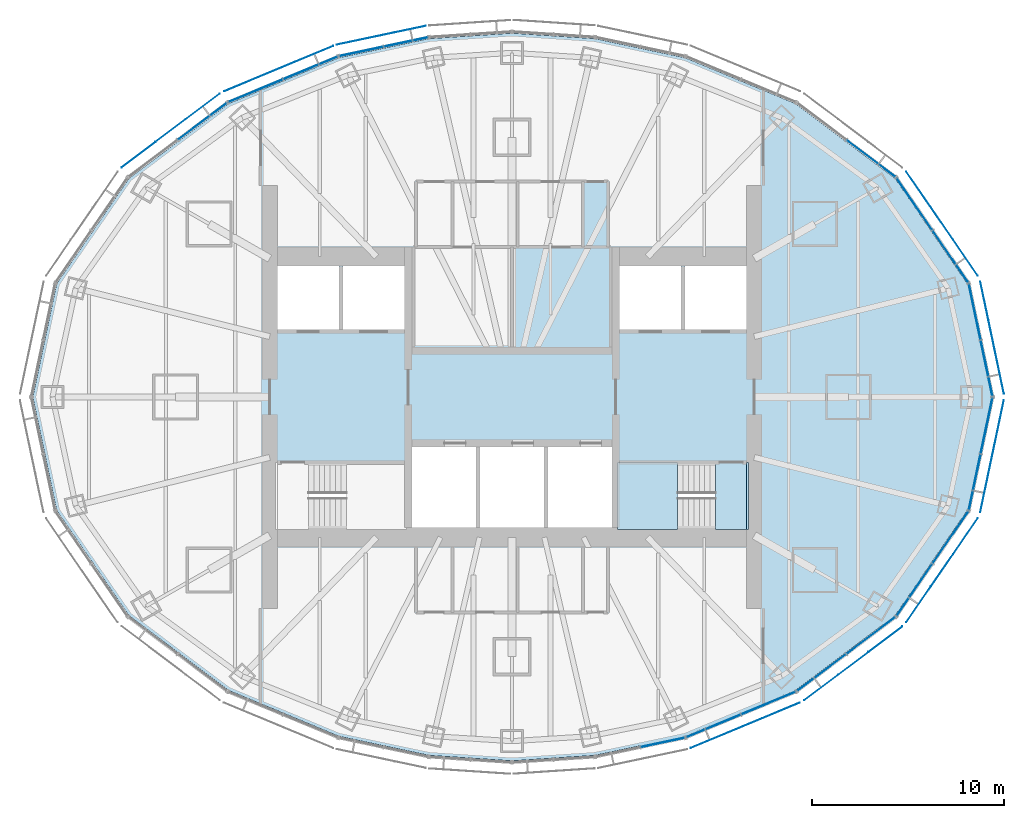
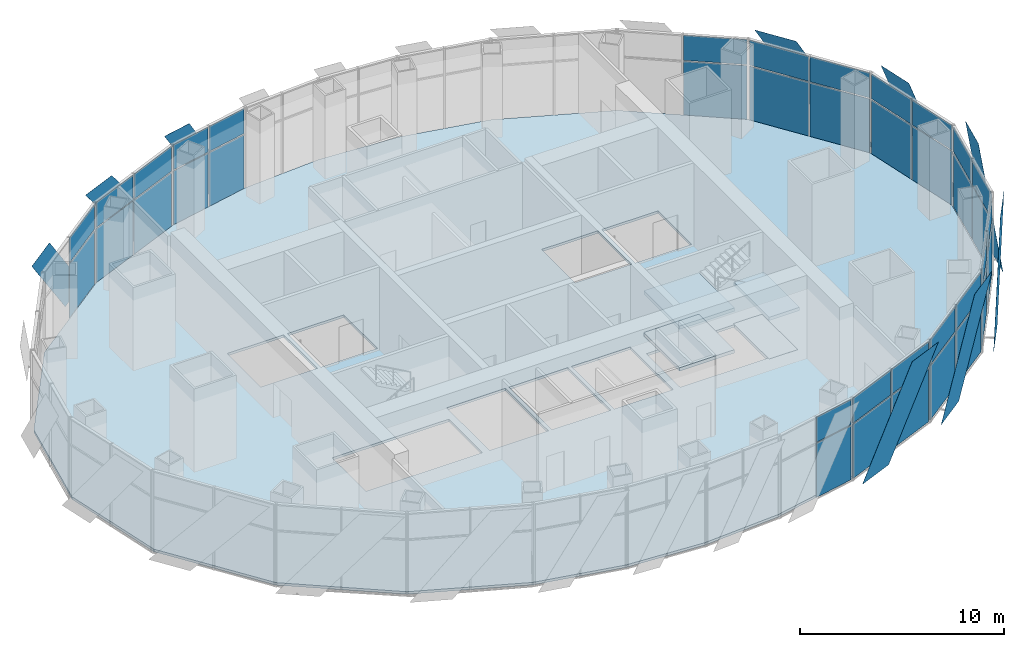
# One storey, part 10 of 17: 47 plates, 5 slabs, 12 elements without a shape of their own.
"""IFC4 building model written with IfcOpenShell, lengths in metres."""

from ifc_helpers import new_model, si_unit, direction, frame, origin, origin_2d, place, context, subcontext, project, spatial, polyline, rectangle, outline, extrude, material, layer, layer_set, type_object, element, aggregate, save


model = new_model("IFC4")

# Units and contexts
model_context = context("Model", 3, precision=1e-05, world=origin(), true_north=direction((0.0, 1.0)))
body_context = subcontext(model_context, "Body", "Model", "MODEL_VIEW")
ifc_project = project(units=[si_unit("LENGTHUNIT", "METRE"), si_unit("AREAUNIT", "SQUARE_METRE"), si_unit("VOLUMEUNIT", "CUBIC_METRE"), si_unit("PLANEANGLEUNIT", "RADIAN"), si_unit("MASSUNIT", "GRAM", prefix="KILO")], contexts=[model_context])

# Site, building, storey
site_placement = place(None, origin())
site = spatial("IfcSite", under=ifc_project, at=site_placement, CompositionType="ELEMENT")
building_placement = place(site_placement, origin())
building = spatial("IfcBuilding", under=site, at=building_placement, Name="Lantaw Convention Tower", CompositionType="ELEMENT")
storey_placement = place(building_placement, frame((0.0, 0.0, 279.39990234375)))
storey = spatial("IfcBuildingStorey", under=building, at=storey_placement, Name="L65", CompositionType="ELEMENT", Elevation=279.39990234375)

# Curtain wall, plates
ifc_material_1 = material(Name="Aluminium framed curtain wall", Category="aluminium")
curtain_wall_type = type_object("IfcCurtainWallType", Name="Executive floors curtain wall, pale aluminium", PredefinedType="USERDEFINED", material=ifc_material_1)
curtain_wall_1_placement = place(storey_placement, origin())
curtain_wall_1 = element("IfcCurtainWall", 1, at=curtain_wall_1_placement, inside=storey, type_object=curtain_wall_type, Name="Executive floors curtain wall, pale aluminium L65", ObjectType="UNITISED CURTAIN WALL", PredefinedType="USERDEFINED")
ifc_material_2 = material(Name="Clear insulating glass", Category="glass")
ifc_layer_1 = layer(ifc_material_2, 0.030029296875)
ifc_layer_set_1 = layer_set([ifc_layer_1], Name="CW-T panel 30")
plate_type_1 = type_object("IfcPlateType", Name="CW-T panel 30", PredefinedType="CURTAIN_PANEL", material=ifc_layer_set_1)
plate_1_placement = place(storey_placement, frame((24.68505859375, 1.497802734375, -0.080078125), z_axis=(0.0, 0.0, 1.0), x_axis=(-0.205814054946, 0.978591117263, 0.0)))
plate_1 = element("IfcPlate", 2, at=plate_1_placement, type_object=plate_type_1, Name="CW-T panel 1.1", PredefinedType="CURTAIN_PANEL", context=body_context, shape_type="SweptSolid", body=[
    extrude(rectangle(XDim=2.921142578125, YDim=0.030029296875, at=origin_2d()), origin(), (0.0, 0.0, 1.0), 3.2451171875),
])
plate_2_placement = place(storey_placement, frame((24.68505859375, 1.497802734375, 3.235107421875), z_axis=(0.0, 0.0, 1.0), x_axis=(-0.205814054946, 0.978591117263, 0.0)))
plate_2 = element("IfcPlate", 3, at=plate_2_placement, type_object=plate_type_1, Name="CW-T panel 1.2", PredefinedType="CURTAIN_PANEL", context=body_context, shape_type="SweptSolid", body=[
    extrude(rectangle(XDim=2.921142578125, YDim=0.030029296875, at=origin_2d()), origin(), (0.0, 0.0, 1.0), 1.4951171875),
])
plate_3_placement = place(storey_placement, frame((24.0693359375, 4.4248046875, -0.080078125), z_axis=(0.0, 0.0, 1.0), x_axis=(-0.205814054946, 0.978591117263, 0.0)))
plate_3 = element("IfcPlate", 4, at=plate_3_placement, type_object=plate_type_1, Name="CW-T panel 2.1", PredefinedType="CURTAIN_PANEL", context=body_context, shape_type="SweptSolid", body=[
    extrude(rectangle(XDim=2.921142578125, YDim=0.030029296875, at=origin_2d()), origin(), (0.0, 0.0, 1.0), 3.2451171875),
])
plate_4_placement = place(storey_placement, frame((24.0693359375, 4.4248046875, 3.235107421875), z_axis=(0.0, 0.0, 1.0), x_axis=(-0.205814054946, 0.978591117263, 0.0)))
plate_4 = element("IfcPlate", 5, at=plate_4_placement, type_object=plate_type_1, Name="CW-T panel 2.2", PredefinedType="CURTAIN_PANEL", context=body_context, shape_type="SweptSolid", body=[
    extrude(rectangle(XDim=2.921142578125, YDim=0.030029296875, at=origin_2d()), origin(), (0.0, 0.0, 1.0), 1.4951171875),
])
aggregate(curtain_wall_1, [plate_1, plate_2, plate_3, plate_4])

curtain_wall_2_placement = place(storey_placement, origin())
curtain_wall_2 = element("IfcCurtainWall", 6, at=curtain_wall_2_placement, inside=storey, type_object=curtain_wall_type, Name="Executive floors curtain wall, pale aluminium L65", ObjectType="UNITISED CURTAIN WALL", PredefinedType="USERDEFINED")
plate_5_placement = place(storey_placement, frame((22.80126953125, 7.31103515625, -0.080078125), z_axis=(0.0, 0.0, 1.0), x_axis=(-0.565934832921, 0.824449977189, 0.0)))
plate_5 = element("IfcPlate", 7, at=plate_5_placement, type_object=plate_type_1, Name="CW-T panel 1.1", PredefinedType="CURTAIN_PANEL", context=body_context, shape_type="SweptSolid", body=[
    extrude(rectangle(XDim=3.22802734375, YDim=0.030029296875, at=origin_2d()), origin(), (0.0, 0.0, 1.0), 3.2451171875),
])
plate_6_placement = place(storey_placement, frame((22.80126953125, 7.31103515625, 3.235107421875), z_axis=(0.0, 0.0, 1.0), x_axis=(-0.565934832921, 0.824449977189, 0.0)))
plate_6 = element("IfcPlate", 8, at=plate_6_placement, type_object=plate_type_1, Name="CW-T panel 1.2", PredefinedType="CURTAIN_PANEL", context=body_context, shape_type="SweptSolid", body=[
    extrude(rectangle(XDim=3.22802734375, YDim=0.030029296875, at=origin_2d()), origin(), (0.0, 0.0, 1.0), 1.4951171875),
])
plate_7_placement = place(storey_placement, frame((20.93505859375, 10.030029296875, -0.080078125), z_axis=(0.0, 0.0, 1.0), x_axis=(-0.565934832921, 0.824449977189, 0.0)))
plate_7 = element("IfcPlate", 9, at=plate_7_placement, type_object=plate_type_1, Name="CW-T panel 2.1", PredefinedType="CURTAIN_PANEL", context=body_context, shape_type="SweptSolid", body=[
    extrude(rectangle(XDim=3.22802734375, YDim=0.030029296875, at=origin_2d()), origin(), (0.0, 0.0, 1.0), 3.2451171875),
])
plate_8_placement = place(storey_placement, frame((20.93505859375, 10.030029296875, 3.235107421875), z_axis=(0.0, 0.0, 1.0), x_axis=(-0.565934832921, 0.824449977189, 0.0)))
plate_8 = element("IfcPlate", 10, at=plate_8_placement, type_object=plate_type_1, Name="CW-T panel 2.2", PredefinedType="CURTAIN_PANEL", context=body_context, shape_type="SweptSolid", body=[
    extrude(rectangle(XDim=3.22802734375, YDim=0.030029296875, at=origin_2d()), origin(), (0.0, 0.0, 1.0), 1.4951171875),
])
aggregate(curtain_wall_2, [plate_5, plate_6, plate_7, plate_8])

curtain_wall_3_placement = place(storey_placement, origin())
curtain_wall_3 = element("IfcCurtainWall", 11, at=curtain_wall_3_placement, inside=storey, type_object=curtain_wall_type, Name="Executive floors curtain wall, pale aluminium L65", ObjectType="UNITISED CURTAIN WALL", PredefinedType="USERDEFINED")
plate_9_placement = place(storey_placement, frame((18.67041015625, 12.403564453125, -0.080078125), z_axis=(0.0, 0.0, 1.0), x_axis=(-0.799517528732, 0.600642756762, 0.0)))
plate_9 = element("IfcPlate", 12, at=plate_9_placement, type_object=plate_type_1, Name="CW-T panel 1.1", PredefinedType="CURTAIN_PANEL", context=body_context, shape_type="SweptSolid", body=[
    extrude(rectangle(XDim=3.140869140625, YDim=0.030029296875, at=origin_2d()), origin(), (0.0, 0.0, 1.0), 3.2451171875),
])
plate_10_placement = place(storey_placement, frame((18.67041015625, 12.403564453125, 3.235107421875), z_axis=(0.0, 0.0, 1.0), x_axis=(-0.799517528732, 0.600642756762, 0.0)))
plate_10 = element("IfcPlate", 13, at=plate_10_placement, type_object=plate_type_1, Name="CW-T panel 1.2", PredefinedType="CURTAIN_PANEL", context=body_context, shape_type="SweptSolid", body=[
    extrude(rectangle(XDim=3.140869140625, YDim=0.030029296875, at=origin_2d()), origin(), (0.0, 0.0, 1.0), 1.4951171875),
])
aggregate(curtain_wall_3, [plate_9, plate_10])

curtain_wall_4_placement = place(storey_placement, origin())
curtain_wall_4 = element("IfcCurtainWall", 14, at=curtain_wall_4_placement, inside=storey, type_object=curtain_wall_type, Name="Executive floors curtain wall, pale aluminium L65", ObjectType="UNITISED CURTAIN WALL", PredefinedType="USERDEFINED")
plate_11_placement = place(storey_placement, frame((-5.514404296875, 18.46142578125, -0.080078125), z_axis=(0.0, 0.0, 1.0), x_axis=(-0.978332497083, -0.207039911975, 0.0)))
plate_11 = element("IfcPlate", 15, at=plate_11_placement, type_object=plate_type_1, Name="CW-T panel 1.1", PredefinedType="CURTAIN_PANEL", context=body_context, shape_type="SweptSolid", body=[
    extrude(rectangle(XDim=2.30078125, YDim=0.030029296875, at=origin_2d()), origin(), (0.0, 0.0, 1.0), 3.2451171875),
])
plate_12_placement = place(storey_placement, frame((-5.514404296875, 18.46142578125, 3.235107421875), z_axis=(0.0, 0.0, 1.0), x_axis=(-0.978332497083, -0.207039911975, 0.0)))
plate_12 = element("IfcPlate", 16, at=plate_12_placement, type_object=plate_type_1, Name="CW-T panel 1.2", PredefinedType="CURTAIN_PANEL", context=body_context, shape_type="SweptSolid", body=[
    extrude(rectangle(XDim=2.30078125, YDim=0.030029296875, at=origin_2d()), origin(), (0.0, 0.0, 1.0), 1.4951171875),
])
plate_13_placement = place(storey_placement, frame((-7.833740234375, 17.970703125, -0.080078125), z_axis=(0.0, 0.0, 1.0), x_axis=(-0.978332497083, -0.207039911975, 0.0)))
plate_13 = element("IfcPlate", 17, at=plate_13_placement, type_object=plate_type_1, Name="CW-T panel 2.1", PredefinedType="CURTAIN_PANEL", context=body_context, shape_type="SweptSolid", body=[
    extrude(rectangle(XDim=2.30078125, YDim=0.030029296875, at=origin_2d()), origin(), (0.0, 0.0, 1.0), 3.2451171875),
])
plate_14_placement = place(storey_placement, frame((-7.833740234375, 17.970703125, 3.235107421875), z_axis=(0.0, 0.0, 1.0), x_axis=(-0.978332497083, -0.207039911975, 0.0)))
plate_14 = element("IfcPlate", 18, at=plate_14_placement, type_object=plate_type_1, Name="CW-T panel 2.2", PredefinedType="CURTAIN_PANEL", context=body_context, shape_type="SweptSolid", body=[
    extrude(rectangle(XDim=2.30078125, YDim=0.030029296875, at=origin_2d()), origin(), (0.0, 0.0, 1.0), 1.4951171875),
])
aggregate(curtain_wall_4, [plate_11, plate_12, plate_13, plate_14])

curtain_wall_5_placement = place(storey_placement, origin())
curtain_wall_5 = element("IfcCurtainWall", 19, at=curtain_wall_5_placement, inside=storey, type_object=curtain_wall_type, Name="Executive floors curtain wall, pale aluminium L65", ObjectType="UNITISED CURTAIN WALL", PredefinedType="USERDEFINED")
plate_15_placement = place(storey_placement, frame((-10.48486328125, 17.111083984375, -0.080078125), z_axis=(0.0, 0.0, 1.0), x_axis=(-0.923141777124, -0.384459697924, 0.0)))
plate_15 = element("IfcPlate", 20, at=plate_15_placement, type_object=plate_type_1, Name="CW-T panel 1.1", PredefinedType="CURTAIN_PANEL", context=body_context, shape_type="SweptSolid", body=[
    extrude(rectangle(XDim=3.01708984375, YDim=0.030029296875, at=origin_2d()), origin(), (0.0, 0.0, 1.0), 3.2451171875),
])
plate_16_placement = place(storey_placement, frame((-10.48486328125, 17.111083984375, 3.235107421875), z_axis=(0.0, 0.0, 1.0), x_axis=(-0.923141777124, -0.384459697924, 0.0)))
plate_16 = element("IfcPlate", 21, at=plate_16_placement, type_object=plate_type_1, Name="CW-T panel 1.2", PredefinedType="CURTAIN_PANEL", context=body_context, shape_type="SweptSolid", body=[
    extrude(rectangle(XDim=3.01708984375, YDim=0.030029296875, at=origin_2d()), origin(), (0.0, 0.0, 1.0), 1.4951171875),
])
plate_17_placement = place(storey_placement, frame((-13.334716796875, 15.92431640625, -0.080078125), z_axis=(0.0, 0.0, 1.0), x_axis=(-0.923141777124, -0.384459697924, 0.0)))
plate_17 = element("IfcPlate", 22, at=plate_17_placement, type_object=plate_type_1, Name="CW-T panel 2.1", PredefinedType="CURTAIN_PANEL", context=body_context, shape_type="SweptSolid", body=[
    extrude(rectangle(XDim=3.01708984375, YDim=0.030029296875, at=origin_2d()), origin(), (0.0, 0.0, 1.0), 3.2451171875),
])
plate_18_placement = place(storey_placement, frame((-13.334716796875, 15.92431640625, 3.235107421875), z_axis=(0.0, 0.0, 1.0), x_axis=(-0.923141777124, -0.384459697924, 0.0)))
plate_18 = element("IfcPlate", 23, at=plate_18_placement, type_object=plate_type_1, Name="CW-T panel 2.2", PredefinedType="CURTAIN_PANEL", context=body_context, shape_type="SweptSolid", body=[
    extrude(rectangle(XDim=3.01708984375, YDim=0.030029296875, at=origin_2d()), origin(), (0.0, 0.0, 1.0), 1.4951171875),
])
aggregate(curtain_wall_5, [plate_15, plate_16, plate_17, plate_18])

curtain_wall_6_placement = place(storey_placement, origin())
curtain_wall_6 = element("IfcCurtainWall", 24, at=curtain_wall_6_placement, inside=storey, type_object=curtain_wall_type, Name="Executive floors curtain wall, pale aluminium L65", ObjectType="UNITISED CURTAIN WALL", PredefinedType="USERDEFINED")
plate_19_placement = place(storey_placement, frame((-16.103271484375, 14.33203125, -0.080078125), z_axis=(0.0, 0.0, 1.0), x_axis=(-0.799517528732, -0.600642756762, 0.0)))
plate_19 = element("IfcPlate", 25, at=plate_19_placement, type_object=plate_type_1, Name="CW-T panel 1.1", PredefinedType="CURTAIN_PANEL", context=body_context, shape_type="SweptSolid", body=[
    extrude(rectangle(XDim=3.140869140625, YDim=0.030029296875, at=origin_2d()), origin(), (0.0, 0.0, 1.0), 3.2451171875),
])
plate_20_placement = place(storey_placement, frame((-16.103271484375, 14.33203125, 3.235107421875), z_axis=(0.0, 0.0, 1.0), x_axis=(-0.799517528732, -0.600642756762, 0.0)))
plate_20 = element("IfcPlate", 26, at=plate_20_placement, type_object=plate_type_1, Name="CW-T panel 1.2", PredefinedType="CURTAIN_PANEL", context=body_context, shape_type="SweptSolid", body=[
    extrude(rectangle(XDim=3.140869140625, YDim=0.030029296875, at=origin_2d()), origin(), (0.0, 0.0, 1.0), 1.4951171875),
])
aggregate(curtain_wall_6, [plate_19, plate_20])

curtain_wall_7_placement = place(storey_placement, origin())
curtain_wall_7 = element("IfcCurtainWall", 27, at=curtain_wall_7_placement, inside=storey, type_object=curtain_wall_type, Name="Executive floors curtain wall, pale aluminium L65", ObjectType="UNITISED CURTAIN WALL", PredefinedType="USERDEFINED")
plate_21_placement = place(storey_placement, frame((7.833740234375, -17.970703125, -0.080078125), z_axis=(0.0, 0.0, 1.0), x_axis=(0.978332497083, 0.207039911975, 0.0)))
plate_21 = element("IfcPlate", 28, at=plate_21_placement, type_object=plate_type_1, Name="CW-T panel 2.1", PredefinedType="CURTAIN_PANEL", context=body_context, shape_type="SweptSolid", body=[
    extrude(rectangle(XDim=2.30078125, YDim=0.030029296875, at=origin_2d()), origin(), (0.0, 0.0, 1.0), 3.2451171875),
])
plate_22_placement = place(storey_placement, frame((7.833740234375, -17.970703125, 3.235107421875), z_axis=(0.0, 0.0, 1.0), x_axis=(0.978332497083, 0.207039911975, 0.0)))
plate_22 = element("IfcPlate", 29, at=plate_22_placement, type_object=plate_type_1, Name="CW-T panel 2.2", PredefinedType="CURTAIN_PANEL", context=body_context, shape_type="SweptSolid", body=[
    extrude(rectangle(XDim=2.30078125, YDim=0.030029296875, at=origin_2d()), origin(), (0.0, 0.0, 1.0), 1.4951171875),
])
aggregate(curtain_wall_7, [plate_21, plate_22])

curtain_wall_8_placement = place(storey_placement, origin())
curtain_wall_8 = element("IfcCurtainWall", 30, at=curtain_wall_8_placement, inside=storey, type_object=curtain_wall_type, Name="Executive floors curtain wall, pale aluminium L65", ObjectType="UNITISED CURTAIN WALL", PredefinedType="USERDEFINED")
plate_23_placement = place(storey_placement, frame((10.48486328125, -17.111083984375, -0.080078125), z_axis=(0.0, 0.0, 1.0), x_axis=(0.923141777124, 0.384459697924, 0.0)))
plate_23 = element("IfcPlate", 31, at=plate_23_placement, type_object=plate_type_1, Name="CW-T panel 1.1", PredefinedType="CURTAIN_PANEL", context=body_context, shape_type="SweptSolid", body=[
    extrude(rectangle(XDim=3.01708984375, YDim=0.030029296875, at=origin_2d()), origin(), (0.0, 0.0, 1.0), 3.2451171875),
])
plate_24_placement = place(storey_placement, frame((10.48486328125, -17.111083984375, 3.235107421875), z_axis=(0.0, 0.0, 1.0), x_axis=(0.923141777124, 0.384459697924, 0.0)))
plate_24 = element("IfcPlate", 32, at=plate_24_placement, type_object=plate_type_1, Name="CW-T panel 1.2", PredefinedType="CURTAIN_PANEL", context=body_context, shape_type="SweptSolid", body=[
    extrude(rectangle(XDim=3.01708984375, YDim=0.030029296875, at=origin_2d()), origin(), (0.0, 0.0, 1.0), 1.4951171875),
])
plate_25_placement = place(storey_placement, frame((13.334716796875, -15.92431640625, -0.080078125), z_axis=(0.0, 0.0, 1.0), x_axis=(0.923141777124, 0.384459697924, 0.0)))
plate_25 = element("IfcPlate", 33, at=plate_25_placement, type_object=plate_type_1, Name="CW-T panel 2.1", PredefinedType="CURTAIN_PANEL", context=body_context, shape_type="SweptSolid", body=[
    extrude(rectangle(XDim=3.01708984375, YDim=0.030029296875, at=origin_2d()), origin(), (0.0, 0.0, 1.0), 3.2451171875),
])
plate_26_placement = place(storey_placement, frame((13.334716796875, -15.92431640625, 3.235107421875), z_axis=(0.0, 0.0, 1.0), x_axis=(0.923141777124, 0.384459697924, 0.0)))
plate_26 = element("IfcPlate", 34, at=plate_26_placement, type_object=plate_type_1, Name="CW-T panel 2.2", PredefinedType="CURTAIN_PANEL", context=body_context, shape_type="SweptSolid", body=[
    extrude(rectangle(XDim=3.01708984375, YDim=0.030029296875, at=origin_2d()), origin(), (0.0, 0.0, 1.0), 1.4951171875),
])
aggregate(curtain_wall_8, [plate_23, plate_24, plate_25, plate_26])

curtain_wall_9_placement = place(storey_placement, origin())
curtain_wall_9 = element("IfcCurtainWall", 35, at=curtain_wall_9_placement, inside=storey, type_object=curtain_wall_type, Name="Executive floors curtain wall, pale aluminium L65", ObjectType="UNITISED CURTAIN WALL", PredefinedType="USERDEFINED")
plate_27_placement = place(storey_placement, frame((16.103271484375, -14.33203125, -0.080078125), z_axis=(0.0, 0.0, 1.0), x_axis=(0.799517528732, 0.600642756762, 0.0)))
plate_27 = element("IfcPlate", 36, at=plate_27_placement, type_object=plate_type_1, Name="CW-T panel 1.1", PredefinedType="CURTAIN_PANEL", context=body_context, shape_type="SweptSolid", body=[
    extrude(rectangle(XDim=3.140869140625, YDim=0.030029296875, at=origin_2d()), origin(), (0.0, 0.0, 1.0), 3.2451171875),
])
plate_28_placement = place(storey_placement, frame((16.103271484375, -14.33203125, 3.235107421875), z_axis=(0.0, 0.0, 1.0), x_axis=(0.799517528732, 0.600642756762, 0.0)))
plate_28 = element("IfcPlate", 37, at=plate_28_placement, type_object=plate_type_1, Name="CW-T panel 1.2", PredefinedType="CURTAIN_PANEL", context=body_context, shape_type="SweptSolid", body=[
    extrude(rectangle(XDim=3.140869140625, YDim=0.030029296875, at=origin_2d()), origin(), (0.0, 0.0, 1.0), 1.4951171875),
])
plate_29_placement = place(storey_placement, frame((18.67041015625, -12.403564453125, -0.080078125), z_axis=(0.0, 0.0, 1.0), x_axis=(0.799517528732, 0.600642756762, 0.0)))
plate_29 = element("IfcPlate", 38, at=plate_29_placement, type_object=plate_type_1, Name="CW-T panel 2.1", PredefinedType="CURTAIN_PANEL", context=body_context, shape_type="SweptSolid", body=[
    extrude(rectangle(XDim=3.140869140625, YDim=0.030029296875, at=origin_2d()), origin(), (0.0, 0.0, 1.0), 3.2451171875),
])
plate_30_placement = place(storey_placement, frame((18.67041015625, -12.403564453125, 3.235107421875), z_axis=(0.0, 0.0, 1.0), x_axis=(0.799517528732, 0.600642756762, 0.0)))
plate_30 = element("IfcPlate", 39, at=plate_30_placement, type_object=plate_type_1, Name="CW-T panel 2.2", PredefinedType="CURTAIN_PANEL", context=body_context, shape_type="SweptSolid", body=[
    extrude(rectangle(XDim=3.140869140625, YDim=0.030029296875, at=origin_2d()), origin(), (0.0, 0.0, 1.0), 1.4951171875),
])
aggregate(curtain_wall_9, [plate_27, plate_28, plate_29, plate_30])

curtain_wall_10_placement = place(storey_placement, origin())
curtain_wall_10 = element("IfcCurtainWall", 40, at=curtain_wall_10_placement, inside=storey, type_object=curtain_wall_type, Name="Executive floors curtain wall, pale aluminium L65", ObjectType="UNITISED CURTAIN WALL", PredefinedType="USERDEFINED")
plate_31_placement = place(storey_placement, frame((20.93505859375, -10.030029296875, -0.080078125), z_axis=(0.0, 0.0, 1.0), x_axis=(0.565934832921, 0.824449977189, 0.0)))
plate_31 = element("IfcPlate", 41, at=plate_31_placement, type_object=plate_type_1, Name="CW-T panel 1.1", PredefinedType="CURTAIN_PANEL", context=body_context, shape_type="SweptSolid", body=[
    extrude(rectangle(XDim=3.22802734375, YDim=0.030029296875, at=origin_2d()), origin(), (0.0, 0.0, 1.0), 3.2451171875),
])
plate_32_placement = place(storey_placement, frame((20.93505859375, -10.030029296875, 3.235107421875), z_axis=(0.0, 0.0, 1.0), x_axis=(0.565934832921, 0.824449977189, 0.0)))
plate_32 = element("IfcPlate", 42, at=plate_32_placement, type_object=plate_type_1, Name="CW-T panel 1.2", PredefinedType="CURTAIN_PANEL", context=body_context, shape_type="SweptSolid", body=[
    extrude(rectangle(XDim=3.22802734375, YDim=0.030029296875, at=origin_2d()), origin(), (0.0, 0.0, 1.0), 1.4951171875),
])
plate_33_placement = place(storey_placement, frame((22.80126953125, -7.31103515625, -0.080078125), z_axis=(0.0, 0.0, 1.0), x_axis=(0.565934832921, 0.824449977189, 0.0)))
plate_33 = element("IfcPlate", 43, at=plate_33_placement, type_object=plate_type_1, Name="CW-T panel 2.1", PredefinedType="CURTAIN_PANEL", context=body_context, shape_type="SweptSolid", body=[
    extrude(rectangle(XDim=3.22802734375, YDim=0.030029296875, at=origin_2d()), origin(), (0.0, 0.0, 1.0), 3.2451171875),
])
plate_34_placement = place(storey_placement, frame((22.80126953125, -7.31103515625, 3.235107421875), z_axis=(0.0, 0.0, 1.0), x_axis=(0.565934832921, 0.824449977189, 0.0)))
plate_34 = element("IfcPlate", 44, at=plate_34_placement, type_object=plate_type_1, Name="CW-T panel 2.2", PredefinedType="CURTAIN_PANEL", context=body_context, shape_type="SweptSolid", body=[
    extrude(rectangle(XDim=3.22802734375, YDim=0.030029296875, at=origin_2d()), origin(), (0.0, 0.0, 1.0), 1.4951171875),
])
aggregate(curtain_wall_10, [plate_31, plate_32, plate_33, plate_34])

curtain_wall_11_placement = place(storey_placement, origin())
curtain_wall_11 = element("IfcCurtainWall", 45, at=curtain_wall_11_placement, inside=storey, type_object=curtain_wall_type, Name="Executive floors curtain wall, pale aluminium L65", ObjectType="UNITISED CURTAIN WALL", PredefinedType="USERDEFINED")
plate_35_placement = place(storey_placement, frame((24.0693359375, -4.4248046875, -0.080078125), z_axis=(0.0, 0.0, 1.0), x_axis=(0.205814054946, 0.978591117263, 0.0)))
plate_35 = element("IfcPlate", 46, at=plate_35_placement, type_object=plate_type_1, Name="CW-T panel 1.1", PredefinedType="CURTAIN_PANEL", context=body_context, shape_type="SweptSolid", body=[
    extrude(rectangle(XDim=2.921142578125, YDim=0.030029296875, at=origin_2d()), origin(), (0.0, 0.0, 1.0), 3.2451171875),
])
plate_36_placement = place(storey_placement, frame((24.0693359375, -4.4248046875, 3.235107421875), z_axis=(0.0, 0.0, 1.0), x_axis=(0.205814054946, 0.978591117263, 0.0)))
plate_36 = element("IfcPlate", 47, at=plate_36_placement, type_object=plate_type_1, Name="CW-T panel 1.2", PredefinedType="CURTAIN_PANEL", context=body_context, shape_type="SweptSolid", body=[
    extrude(rectangle(XDim=2.921142578125, YDim=0.030029296875, at=origin_2d()), origin(), (0.0, 0.0, 1.0), 1.4951171875),
])
plate_37_placement = place(storey_placement, frame((24.68505859375, -1.497802734375, -0.080078125), z_axis=(0.0, 0.0, 1.0), x_axis=(0.205814054946, 0.978591117263, 0.0)))
plate_37 = element("IfcPlate", 48, at=plate_37_placement, type_object=plate_type_1, Name="CW-T panel 2.1", PredefinedType="CURTAIN_PANEL", context=body_context, shape_type="SweptSolid", body=[
    extrude(rectangle(XDim=2.921142578125, YDim=0.030029296875, at=origin_2d()), origin(), (0.0, 0.0, 1.0), 3.2451171875),
])
plate_38_placement = place(storey_placement, frame((24.68505859375, -1.497802734375, 3.235107421875), z_axis=(0.0, 0.0, 1.0), x_axis=(0.205814054946, 0.978591117263, 0.0)))
plate_38 = element("IfcPlate", 49, at=plate_38_placement, type_object=plate_type_1, Name="CW-T panel 2.2", PredefinedType="CURTAIN_PANEL", context=body_context, shape_type="SweptSolid", body=[
    extrude(rectangle(XDim=2.921142578125, YDim=0.030029296875, at=origin_2d()), origin(), (0.0, 0.0, 1.0), 1.4951171875),
])
aggregate(curtain_wall_11, [plate_35, plate_36, plate_37, plate_38])

# Slab
ifc_material_3 = material(Name="Concrete C35/45", Category="concrete")
ifc_layer_2 = layer(ifc_material_3, 0.14990234375)
ifc_layer_set_2 = layer_set([ifc_layer_2], Name="Floor slab 150")
slab_type_1 = type_object("IfcSlabType", Name="Floor slab 150", PredefinedType="FLOOR", material=ifc_layer_set_2)
slab_1_placement = place(storey_placement, frame((0.0, 0.0, -0.14990234375)))
element("IfcSlab", 50, at=slab_1_placement, inside=storey, type_object=slab_type_1, Name="L65 floor slab", PredefinedType="FLOOR", context=body_context, shape_type="SweptSolid", body=[
    extrude(outline(polyline([(23.68408203125, -5.892578125), (24.92333984375, 0.0), (23.68408203125, 5.892578125), (19.927001953125, 11.36572265625), (14.75439453125, 15.251708984375), (9.00537109375, 17.64599609375), (4.310302734375, 18.6396484375), (0.0, 18.9248046875), (-4.310302734375, 18.6396484375), (-9.00537109375, 17.64599609375), (-14.75439453125, 15.251708984375), (-19.927001953125, 11.36572265625), (-23.68408203125, 5.892578125), (-24.92333984375, 0.0), (-23.68408203125, -5.892578125), (-19.927001953125, -11.36572265625), (-14.75439453125, -15.251708984375), (-9.00537109375, -17.64599609375), (-4.310302734375, -18.6396484375), (0.0, -18.9248046875), (4.310302734375, -18.6396484375), (9.00537109375, -17.64599609375), (14.75439453125, -15.251708984375), (19.927001953125, -11.36572265625), (23.68408203125, -5.892578125)]), holes=[polyline([(-5.60009765625, -3.5), (-12.199951171875, -3.5), (-12.199951171875, -6.800048828125), (-5.60009765625, -6.800048828125), (-5.60009765625, -3.5)]), polyline([(12.199951171875, -3.5), (5.60009765625, -3.5), (5.60009765625, -6.800048828125), (12.199951171875, -6.800048828125), (12.199951171875, -3.5)]), polyline([(-1.86669921875, -2.60009765625), (-5.199951171875, -2.60009765625), (-5.199951171875, -6.800048828125), (-1.86669921875, -6.800048828125), (-1.86669921875, -2.60009765625)]), polyline([(1.666748046875, -2.60009765625), (-1.666748046875, -2.60009765625), (-1.666748046875, -6.800048828125), (1.666748046875, -6.800048828125), (1.666748046875, -2.60009765625)]), polyline([(5.199951171875, -2.60009765625), (1.86669921875, -2.60009765625), (1.86669921875, -6.800048828125), (5.199951171875, -6.800048828125), (5.199951171875, -2.60009765625)]), polyline([(-9.0, 6.800048828125), (-12.199951171875, 6.800048828125), (-12.199951171875, 3.5), (-9.0, 3.5), (-9.0, 6.800048828125)]), polyline([(-5.60009765625, 6.800048828125), (-8.800048828125, 6.800048828125), (-8.800048828125, 3.5), (-5.60009765625, 3.5), (-5.60009765625, 6.800048828125)]), polyline([(8.800048828125, 3.5), (8.800048828125, 6.800048828125), (5.60009765625, 6.800048828125), (5.60009765625, 3.5), (8.800048828125, 3.5)]), polyline([(12.199951171875, 3.5), (12.199951171875, 6.800048828125), (9.0, 6.800048828125), (9.0, 3.5), (12.199951171875, 3.5)])]), origin(), (0.0, 0.0, 1.0), 0.14990234375),
])

# Plates
ifc_material_4 = material(Name="Perforated aluminium sheet, pale silver finish", Category="aluminium")
ifc_layer_3 = layer(ifc_material_4, 0.006103515625)
ifc_layer_set_3 = layer_set([ifc_layer_3], Name="Perforated aluminium solar SCREEN panel")
plate_type_2 = type_object("IfcPlateType", Name="Perforated aluminium solar SCREEN panel", PredefinedType="SHEET", material=ifc_layer_set_3)
plate_39_placement = place(storey_placement, frame((25.582763671875, 0.173583984375, -0.1748046875), z_axis=(-0.978586273349, -0.205837083623, 2.487034e-05), x_axis=(-0.205837083686, 0.978586273652, -3.04e-10)))
element("IfcPlate", 51, at=plate_39_placement, inside=storey, type_object=plate_type_2, Name="Solar SCREEN panel", PredefinedType="SHEET", context=body_context, shape_type="SweptSolid", body=[
    extrude(outline(polyline([(0.0, 0.0), (2.0577409485534544, 0.0), (5.952387788728329, -5.1149902377645535), (3.8944079275104078, -5.114990236514667), (0.0, 0.0)])), origin(), (0.0, 0.0, -1.0), 0.006103515625),
])
plate_40_placement = place(storey_placement, frame((24.2255859375, 6.306884765625, -0.1748046875), z_axis=(-0.824440912553, -0.565948037906, 9.985557e-06), x_axis=(-0.565948037934, 0.824440912594, 4.43e-10)))
element("IfcPlate", 52, at=plate_40_placement, inside=storey, type_object=plate_type_2, Name="Solar SCREEN panel", PredefinedType="SHEET", context=body_context, shape_type="SweptSolid", body=[
    extrude(outline(polyline([(0.0, 0.0), (2.266203942223727, -1.6940658945086007e-21), (6.5657307277045955, -5.1149902317184495), (4.29938861457317, -5.114990233728398), (0.0, 0.0)])), origin(), (0.0, 0.0, -1.0), 0.006103515625),
])
plate_41_placement = place(storey_placement, frame((-4.494873046875, 19.296630859375, -0.1748046875), z_axis=(0.207067097355, -0.978326743573, 1.581344e-06), x_axis=(-0.978326743574, -0.207067097355, 1.4e-10)))
element("IfcPlate", 53, at=plate_41_placement, inside=storey, type_object=plate_type_2, Name="Solar SCREEN panel", PredefinedType="SHEET", context=body_context, shape_type="SweptSolid", body=[
    extrude(outline(polyline([(0.0, 0.0), (1.6360137194593352, 0.0), (4.711486582677345, -5.114990233722418), (3.0756611590300755, -5.114990234180038), (0.0, 0.0)])), origin(), (0.0, 0.0, -1.0), 0.006103515625),
])
plate_42_placement = place(storey_placement, frame((-9.306884765625, 18.258056640625, -0.1748046875), z_axis=(-0.384439817883, 0.923150056253, 8.159286e-06), x_axis=(-0.923150056284, -0.384439817896, 1.8e-10)))
element("IfcPlate", 54, at=plate_42_placement, inside=storey, type_object=plate_type_2, Name="Solar SCREEN panel", PredefinedType="SHEET", context=body_context, shape_type="SweptSolid", body=[
    extrude(outline(polyline([(0.0, 0.0), (2.1228778840364693, -8.470329472543003e-22), (6.144061852905094, 5.114990233437053), (4.020958590436915, 5.114990234202904), (0.0, 0.0)])), origin(), (0.0, 0.0, -1.0), 0.006103515625),
])
plate_43_placement = place(storey_placement, frame((-15.19580078125, 15.77197265625, -0.1748046875), z_axis=(0.600672301802, -0.799495331447, 2.9013508e-05), x_axis=(-0.799495331784, -0.600672302055, -1.283e-09)))
element("IfcPlate", 55, at=plate_43_placement, inside=storey, type_object=plate_type_2, Name="Solar SCREEN panel", PredefinedType="SHEET", context=body_context, shape_type="SweptSolid", body=[
    extrude(outline(polyline([(0.0, 0.0), (2.2072762525862726, -6.776263578034403e-21), (6.391554861450963, -5.114990244727144), (4.184425257375934, -5.114990239064206), (0.0, 0.0)])), origin(), (0.0, 0.0, -1.0), 0.006103515625),
])
plate_44_placement = place(storey_placement, frame((9.306884765625, -18.258056640625, -0.1748046875), z_axis=(0.384439817883, -0.923150056253, 8.159286e-06), x_axis=(0.923150056284, 0.384439817896, 1.8e-10)))
element("IfcPlate", 56, at=plate_44_placement, inside=storey, type_object=plate_type_2, Name="Solar SCREEN panel", PredefinedType="SHEET", context=body_context, shape_type="SweptSolid", body=[
    extrude(outline(polyline([(0.0, 0.0), (2.1228778840364693, -8.470329472543003e-22), (6.144061852905094, 5.114990233437053), (4.020958590436915, 5.114990234202904), (0.0, 0.0)])), origin(), (0.0, 0.0, -1.0), 0.006103515625),
])
plate_45_placement = place(storey_placement, frame((15.19580078125, -15.77197265625, -0.1748046875), z_axis=(-0.600672301802, 0.799495331447, 2.9013508e-05), x_axis=(0.799495331784, 0.600672302055, -1.283e-09)))
element("IfcPlate", 57, at=plate_45_placement, inside=storey, type_object=plate_type_2, Name="Solar SCREEN panel", PredefinedType="SHEET", context=body_context, shape_type="SweptSolid", body=[
    extrude(outline(polyline([(0.0, 0.0), (2.2072762525862726, -6.776263578034403e-21), (6.391554861450963, -5.114990244727144), (4.184425257375934, -5.114990239064206), (0.0, 0.0)])), origin(), (0.0, 0.0, -1.0), 0.006103515625),
])
plate_46_placement = place(storey_placement, frame((20.509765625, -11.719970703125, -0.1748046875), z_axis=(0.824440912553, -0.565948037906, 9.985557e-06), x_axis=(0.565948037934, 0.824440912594, -4.43e-10)))
element("IfcPlate", 58, at=plate_46_placement, inside=storey, type_object=plate_type_2, Name="Solar SCREEN panel", PredefinedType="SHEET", context=body_context, shape_type="SweptSolid", body=[
    extrude(outline(polyline([(0.0, 0.0), (2.266342113131426, 0.0), (6.565730723168265, 5.114990237541394), (4.299526780944539, 5.114990235531567), (0.0, 0.0)])), origin(), (0.0, 0.0, -1.0), 0.006103515625),
])
plate_47_placement = place(storey_placement, frame((24.357666015625, -5.99853515625, -0.1748046875), z_axis=(0.978586273349, -0.205837083623, 2.487034e-05), x_axis=(0.205837083686, 0.978586273652, 3.04e-10)))
element("IfcPlate", 59, at=plate_47_placement, inside=storey, type_object=plate_type_2, Name="Solar SCREEN panel", PredefinedType="SHEET", context=body_context, shape_type="SweptSolid", body=[
    extrude(outline(polyline([(0.0, 0.0), (2.05797986121792, 0.0), (5.952387791834848, 5.114990234149451), (3.8946468432813948, 5.114990235399191), (0.0, 0.0)])), origin(), (0.0, 0.0, -1.0), 0.006103515625),
])

# Stair, slabs
stair_type = type_object("IfcStairType", Name="Exit stair 1500 riser 156.25 in 4 flights", PredefinedType="HALF_TURN_STAIR", material=ifc_material_3)
stair_placement = place(storey_placement, origin())
stair = element("IfcStair", 60, at=stair_placement, inside=storey, type_object=stair_type, Name="Exit stair S2 L65", PredefinedType="HALF_TURN_STAIR")
ifc_layer_4 = layer(ifc_material_3, 0.199951171875)
ifc_layer_set_4 = layer_set([ifc_layer_4], Name="Stair landing 200")
slab_type_2 = type_object("IfcSlabType", Name="Stair landing 200", PredefinedType="LANDING", material=ifc_layer_set_4)
slab_2_placement = place(storey_placement, frame((0.0, 0.0, -0.199951171875)))
slab_2 = element("IfcSlab", 61, at=slab_2_placement, type_object=slab_type_2, Name="S2 landing 1", PredefinedType="LANDING", context=body_context, shape_type="SweptSolid", body=[
    extrude(outline(polyline([(10.580078125, -6.89990234375), (12.199951171875, -6.89990234375), (12.199951171875, -3.39990234375), (10.580078125, -3.39990234375), (10.580078125, -6.89990234375)])), origin(), (0.0, 0.0, 1.0), 0.199951171875),
])
slab_3_placement = place(storey_placement, frame((0.0, 0.0, 1.050048828125)))
slab_3 = element("IfcSlab", 62, at=slab_3_placement, type_object=slab_type_2, Name="S2 landing 2", PredefinedType="LANDING", context=body_context, shape_type="SweptSolid", body=[
    extrude(outline(polyline([(5.5, -6.89990234375), (8.6201171875, -6.89990234375), (8.6201171875, -3.39990234375), (5.5, -3.39990234375), (5.5, -6.89990234375)])), origin(), (0.0, 0.0, 1.0), 0.199951171875),
])
slab_4_placement = place(storey_placement, frame((0.0, 0.0, 2.300048828125)))
slab_4 = element("IfcSlab", 63, at=slab_4_placement, type_object=slab_type_2, Name="S2 landing 3", PredefinedType="LANDING", context=body_context, shape_type="SweptSolid", body=[
    extrude(outline(polyline([(10.580078125, -6.89990234375), (12.300048828125, -6.89990234375), (12.300048828125, -3.39990234375), (10.580078125, -3.39990234375), (10.580078125, -6.89990234375)])), origin(), (0.0, 0.0, 1.0), 0.199951171875),
])
slab_5_placement = place(storey_placement, frame((0.0, 0.0, 3.550048828125)))
slab_5 = element("IfcSlab", 64, at=slab_5_placement, type_object=slab_type_2, Name="S2 landing 4", PredefinedType="LANDING", context=body_context, shape_type="SweptSolid", body=[
    extrude(outline(polyline([(5.5, -6.89990234375), (8.6201171875, -6.89990234375), (8.6201171875, -3.39990234375), (5.5, -3.39990234375), (5.5, -6.89990234375)])), origin(), (0.0, 0.0, 1.0), 0.199951171875),
])
aggregate(stair, [slab_2, slab_3, slab_4, slab_5])

save(model, "model.ifc")
